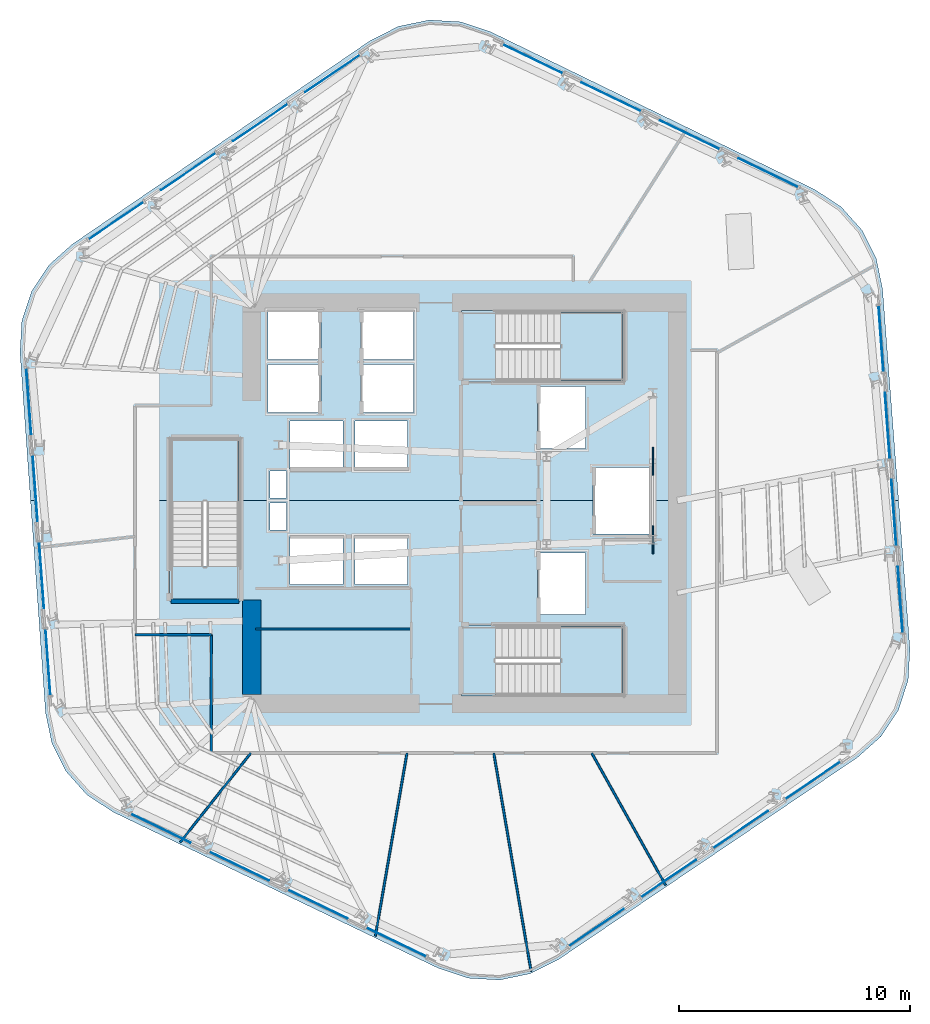
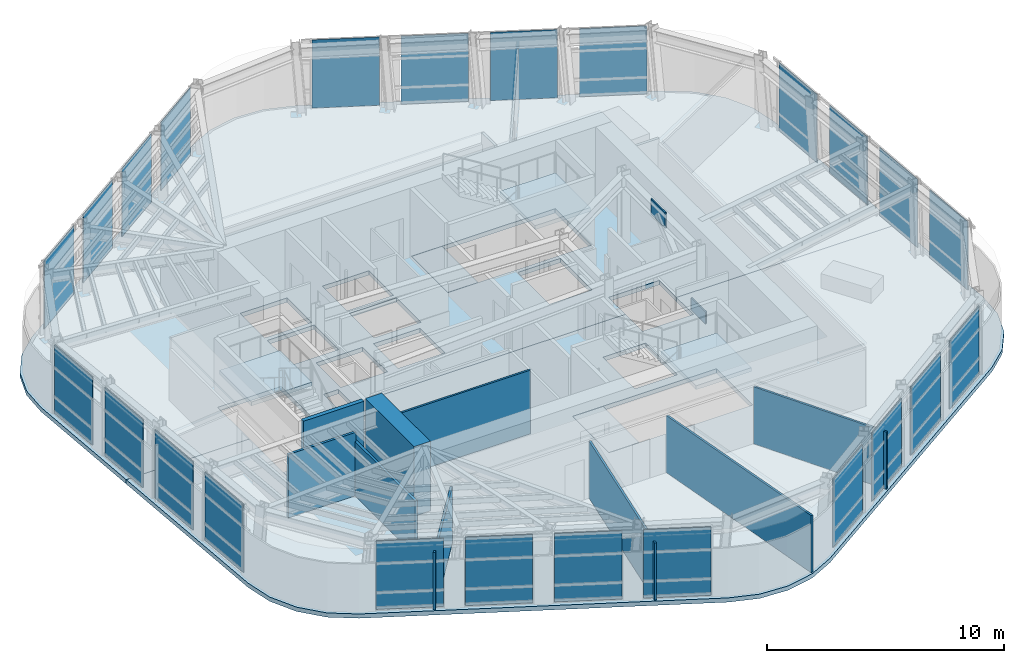
# One storey, part 7 of 15: 26 plates, 9 walls, 8 slabs, 9 elements without a shape of their own.
"""IFC4 building model written with IfcOpenShell, lengths in metres."""

import ifcopenshell
import ifcopenshell.guid

model = None  # the IFC model being written
_history = None  # IfcOwnerHistory: only IFC2X3 demands one
_inside = {}  # id of a spatial element -> (the spatial element, [elements in it])
_under = {}  # id of a project, library or spatial element -> (it, [spatial elements below it])
_declared = {}  # id of a project -> (the project, [libraries it declares])
_typed = {}  # id of a type object -> (the type object, [elements of that type])
_made_of = {}  # id of a material, layer set ... -> (it, [elements and type objects made of it])


def new_model(schema):
    """Start an empty IFC model of exactly this schema.

    Asked for "IFC4X3", IfcOpenShell would pick the latest addendum, in which some entities
    have other attributes; the version numbers below select the first issue.
    IFC2X3 requires an IfcOwnerHistory on every rooted entity: one is made here for all.
    """
    global model, _history
    if schema == "IFC4X3":
        model = ifcopenshell.file(schema_version=(4, 3, 0, 0))
    else:
        model = ifcopenshell.file(schema=schema)
    _inside.clear()
    _under.clear()
    _declared.clear()
    _typed.clear()
    _made_of.clear()
    _history = None
    if model.schema == "IFC2X3":
        org = make("IfcOrganization", Name="unknown")
        user = make(
            "IfcPersonAndOrganization",
            ThePerson=make("IfcPerson", FamilyName="unknown"),
            TheOrganization=org,
        )
        app = make(
            "IfcApplication",
            ApplicationDeveloper=org,
            Version="unknown",
            ApplicationFullName="unknown",
            ApplicationIdentifier="unknown",
        )
        _history = make(
            "IfcOwnerHistory",
            OwningUser=user,
            OwningApplication=app,
            ChangeAction="ADDED",
            CreationDate=0,
        )
    return model


def make(cls, **values):
    """One entity of the class cls with the attributes given. An attribute that is None is left unset."""
    return model.create_entity(
        cls, **{name: value for name, value in values.items() if value is not None}
    )


def rooted(cls, **values):
    """An entity with a GlobalId (a new one), such as an element, a storey or a relation."""
    return make(cls, GlobalId=ifcopenshell.guid.new(), OwnerHistory=_history, **values)


def si_unit(unit_type, name, prefix=None):
    """IfcSIUnit, for example si_unit("LENGTHUNIT", "METRE", prefix="MILLI")."""
    return make("IfcSIUnit", UnitType=unit_type, Prefix=prefix, Name=name)


def assignment(units):
    """IfcUnitAssignment: the units of a project."""
    return None if units is None else make("IfcUnitAssignment", Units=units)


def point(xyz):
    """IfcCartesianPoint."""
    return None if xyz is None else make("IfcCartesianPoint", Coordinates=xyz)


def direction(xyz):
    """IfcDirection."""
    return None if xyz is None else make("IfcDirection", DirectionRatios=xyz)


def frame(location, z_axis=None, x_axis=None):
    """IfcAxis2Placement3D, a coordinate frame: its origin and axes. An axis left out is left unset."""
    return make(
        "IfcAxis2Placement3D",
        Location=point(location),
        Axis=direction(z_axis),
        RefDirection=direction(x_axis),
    )


def frame_2d(location, x_axis=None):
    """IfcAxis2Placement2D, a coordinate frame in the plane: its origin and x axis."""
    return make(
        "IfcAxis2Placement2D", Location=point(location), RefDirection=direction(x_axis)
    )


def origin():
    """The frame at (0, 0, 0) with its axes left unset."""
    return frame((0.0, 0.0, 0.0))


def origin_2d():
    """The frame at (0, 0) in the plane with its x axis left unset."""
    return frame_2d((0.0, 0.0))


def place(relative_to, where):
    """IfcLocalPlacement: puts the frame where relative to a parent placement (None: the world)."""
    return make(
        "IfcLocalPlacement", PlacementRelTo=relative_to, RelativePlacement=where
    )


def context(
    kind, dimensions, precision=None, world=None, true_north=None, identifier=None
):
    """IfcGeometricRepresentationContext, for example the 3D "Model" context."""
    return make(
        "IfcGeometricRepresentationContext",
        ContextIdentifier=identifier,
        ContextType=kind,
        CoordinateSpaceDimension=dimensions,
        Precision=precision,
        WorldCoordinateSystem=world,
        TrueNorth=true_north,
    )


def subcontext(parent, identifier, kind, view, scale=None):
    """IfcGeometricRepresentationSubContext, for example "Body" below "Model"."""
    return make(
        "IfcGeometricRepresentationSubContext",
        ContextIdentifier=identifier,
        ContextType=kind,
        ParentContext=parent,
        TargetScale=scale,
        TargetView=view,
    )


def project(units=None, contexts=None):
    """IfcProject with its units and contexts."""
    return rooted(
        "IfcProject",
        Name="project",
        RepresentationContexts=contexts,
        UnitsInContext=assignment(units),
    )


def spatial(cls, under=None, at=None, **own):
    """A site, building, storey or space (cls), placed at a placement, below another one or the project."""
    s = rooted(cls, ObjectPlacement=at, **own)
    if under is not None:
        _under.setdefault(under.id(), (under, []))[1].append(s)
    return s


def polyline(points):
    """IfcPolyline through the points."""
    return make("IfcPolyline", Points=[point(p) for p in points])


def profile(cls, at=None, kind="AREA", **sizes):
    """A parametric profile (cls). Its sizes go by their IFC names, for example OverallWidth=200.0."""
    return make(cls, ProfileType=kind, Position=at, **sizes)


def rectangle(**sizes):
    """IfcRectangleProfileDef."""
    return profile("IfcRectangleProfileDef", **sizes)


def outline(outer, holes=None, kind="AREA"):
    """IfcArbitraryClosedProfileDef: a profile drawn as a closed curve; with holes, ...WithVoids."""
    if holes is None:
        return make("IfcArbitraryClosedProfileDef", ProfileType=kind, OuterCurve=outer)
    return make(
        "IfcArbitraryProfileDefWithVoids",
        ProfileType=kind,
        OuterCurve=outer,
        InnerCurves=holes,
    )


def extrude(swept, where, along, depth):
    """IfcExtrudedAreaSolid: the profile swept, set in the frame where, extruded along a direction by depth."""
    return make(
        "IfcExtrudedAreaSolid",
        SweptArea=swept,
        Position=where,
        ExtrudedDirection=direction(along),
        Depth=depth,
    )


def shape(context_of_items, identifier, shape_type, items):
    """IfcShapeRepresentation: the items that make up one representation, for example the "Body"."""
    return make(
        "IfcShapeRepresentation",
        ContextOfItems=context_of_items,
        RepresentationIdentifier=identifier,
        RepresentationType=shape_type,
        Items=items,
    )


def material(Name=None, Category=None):
    """IfcMaterial."""
    return make("IfcMaterial", Name=Name, Category=Category)


def layer(
    of_material, thickness, ventilated=None, Name=None, Category=None, Priority=None
):
    """IfcMaterialLayer: one layer of a wall or slab, of a material (None: an air gap)."""
    return make(
        "IfcMaterialLayer",
        Material=of_material,
        LayerThickness=thickness,
        IsVentilated=ventilated,
        Name=Name,
        Category=Category,
        Priority=Priority,
    )


def layer_set(layers, Name=None):
    """IfcMaterialLayerSet."""
    return make("IfcMaterialLayerSet", MaterialLayers=layers, LayerSetName=Name)


def made_of(thing, what):
    """Note that an element or type object is made of a material, layer set ...; save() writes the relation."""
    if what is not None:
        _made_of.setdefault(what.id(), (what, []))[1].append(thing)
    return thing


def type_object(cls, material=None, **own):
    """A type object (cls), such as IfcWallType, which elements share."""
    return made_of(rooted(cls, **own), material)


def element(
    cls,
    number,
    at=None,
    inside=None,
    cuts=None,
    type_object=None,
    material=None,
    context=None,
    identifier="Body",
    shape_type=None,
    held_by="IfcProductDefinitionShape",
    body=None,
    shapes=None,
    **own,
):
    """One element of the class cls, such as IfcWall. Its Tag is "e" and its number.

    at: its placement. inside: the storey or other place that contains it. cuts: it is an
    opening in that element (IfcRelVoidsElement). A single representation is given by context,
    identifier, shape_type and body (its items); several are given by shapes. held_by: the class
    of the entity that holds the representations. save() writes the other relations.
    """
    e = rooted(cls, Tag="e%d" % number, ObjectPlacement=at, **own)
    if body is not None:
        shapes = [shape(context, identifier, shape_type, body)]
    if shapes is not None:
        e.Representation = make(held_by, Representations=shapes)
    if inside is not None:
        _inside.setdefault(inside.id(), (inside, []))[1].append(e)
    if cuts is not None:
        rooted(
            "IfcRelVoidsElement", RelatingBuildingElement=cuts, RelatedOpeningElement=e
        )
    if type_object is not None:
        _typed.setdefault(type_object.id(), (type_object, []))[1].append(e)
    return made_of(e, material)


def aggregate(whole, parts):
    """IfcRelAggregates: a whole, such as a stair, and the parts it consists of."""
    return rooted("IfcRelAggregates", RelatingObject=whole, RelatedObjects=parts)


def save(model, path):
    """Write the relations noted so far, then the file.

    IfcRelAggregates (storeys below a building ...), IfcRelContainedInSpatialStructure (elements
    in a storey), IfcRelDefinesByType, IfcRelAssociatesMaterial and IfcRelDeclares: one each for
    every whole, place, type object, material and project.
    """
    for whole, parts in _under.values():
        aggregate(whole, parts)
    for where, things in _inside.values():
        rooted(
            "IfcRelContainedInSpatialStructure",
            RelatedElements=things,
            RelatingStructure=where,
        )
    for kind, things in _typed.values():
        rooted("IfcRelDefinesByType", RelatedObjects=things, RelatingType=kind)
    for what, things in _made_of.values():
        rooted("IfcRelAssociatesMaterial", RelatedObjects=things, RelatingMaterial=what)
    for by, libraries in _declared.values():
        rooted("IfcRelDeclares", RelatingContext=by, RelatedDefinitions=libraries)
    model.write(path)


model = new_model("IFC4")

# Units and contexts
model_context = context("Model", 3, precision=1e-05, world=origin(), true_north=direction((0.0, 1.0)))
body_context = subcontext(model_context, "Body", "Model", "MODEL_VIEW")
ifc_project = project(units=[si_unit("LENGTHUNIT", "METRE"), si_unit("AREAUNIT", "SQUARE_METRE"), si_unit("VOLUMEUNIT", "CUBIC_METRE"), si_unit("PLANEANGLEUNIT", "RADIAN"), si_unit("MASSUNIT", "GRAM", prefix="KILO")], contexts=[model_context])

# Site, building, storey
site_placement = place(None, origin())
site = spatial("IfcSite", under=ifc_project, at=site_placement, CompositionType="ELEMENT")
building_placement = place(site_placement, origin())
building = spatial("IfcBuilding", under=site, at=building_placement, Name="Valkerne Bourse Tower", CompositionType="ELEMENT")
storey_placement = place(building_placement, frame((0.0, 0.0, 170.39990234375)))
storey = spatial("IfcBuildingStorey", under=building, at=storey_placement, Name="L43", CompositionType="ELEMENT", Elevation=170.39990234375)

# Curtain wall, plates
ifc_material_1 = material(Name="Aluminium AA 6063-T6", Category="aluminium")
ifc_layer_1 = layer(ifc_material_1, 0.235107421875)
ifc_layer_set_1 = layer_set([ifc_layer_1], Name="Aluminium AA 6063-T6")
curtain_wall_type = type_object("IfcCurtainWallType", Name="CW-03", PredefinedType="NOTDEFINED", material=ifc_layer_set_1)
curtain_wall_1_placement = place(storey_placement, origin())
curtain_wall_1 = element("IfcCurtainWall", 1, at=curtain_wall_1_placement, inside=storey, type_object=curtain_wall_type, Name="L43 Hexagonal Stick Curtain Wall Face 1", PredefinedType="NOTDEFINED")
ifc_material_2 = material(Name="Glass IGU Low-E Double Glazed", Category="glass")
ifc_layer_2 = layer(ifc_material_2, 0.031982421875)
ifc_layer_set_2 = layer_set([ifc_layer_2], Name="Glass IGU Low-E Double Glazed")
plate_type_1 = type_object("IfcPlateType", Name="CW-PNL-IGU-32", PredefinedType="CURTAIN_PANEL", material=ifc_layer_set_2)
plate_1_placement = place(storey_placement, frame((59.93701171875, 41.178955078125, 0.030029296875), z_axis=(0.0, 0.0, 1.0), x_axis=(-0.90032453496, 0.43521917668, 0.0)))
plate_1 = element("IfcPlate", 2, at=plate_1_placement, type_object=plate_type_1, Name="CW-L43-F1 Curtain Panel 00", PredefinedType="CURTAIN_PANEL", context=body_context, shape_type="SweptSolid", body=[
    extrude(rectangle(XDim=2.850830078125, YDim=0.031982421875, at=origin_2d()), origin(), (0.0, 0.0, 1.0), 3.52001953125),
])
plate_2_placement = place(storey_placement, frame((56.5419921875, 42.820068359375, 0.030029296875), z_axis=(0.0, 0.0, 1.0), x_axis=(-0.900314143911, 0.435240671667, 0.0)))
plate_2 = element("IfcPlate", 3, at=plate_2_placement, type_object=plate_type_1, Name="CW-L43-F1 Curtain Panel 01", PredefinedType="CURTAIN_PANEL", context=body_context, shape_type="SweptSolid", body=[
    extrude(rectangle(XDim=2.85107421875, YDim=0.031982421875, at=origin_2d()), origin(), (0.0, 0.0, 1.0), 3.52001953125),
])
plate_3_placement = place(storey_placement, frame((53.14697265625, 44.46142578125, 0.030029296875), z_axis=(0.0, 0.0, 1.0), x_axis=(-0.90032453496, 0.43521917668, 0.0)))
plate_3 = element("IfcPlate", 4, at=plate_3_placement, type_object=plate_type_1, Name="CW-L43-F1 Curtain Panel 02", PredefinedType="CURTAIN_PANEL", context=body_context, shape_type="SweptSolid", body=[
    extrude(rectangle(XDim=2.850830078125, YDim=0.031982421875, at=origin_2d()), origin(), (0.0, 0.0, 1.0), 3.52001953125),
])
plate_4_placement = place(storey_placement, frame((49.751708984375, 46.1025390625, 0.030029296875), z_axis=(0.0, 0.0, 1.0), x_axis=(-0.900314143911, 0.435240671667, 0.0)))
plate_4 = element("IfcPlate", 5, at=plate_4_placement, type_object=plate_type_1, Name="CW-L43-F1 Curtain Panel 03", PredefinedType="CURTAIN_PANEL", context=body_context, shape_type="SweptSolid", body=[
    extrude(rectangle(XDim=2.85107421875, YDim=0.031982421875, at=origin_2d()), origin(), (0.0, 0.0, 1.0), 3.52001953125),
])
aggregate(curtain_wall_1, [plate_1, plate_2, plate_3, plate_4])

curtain_wall_2_placement = place(storey_placement, origin())
curtain_wall_2 = element("IfcCurtainWall", 6, at=curtain_wall_2_placement, inside=storey, type_object=curtain_wall_type, Name="L43 Hexagonal Stick Curtain Wall Face 2", PredefinedType="NOTDEFINED")
plate_5_placement = place(storey_placement, frame((41.089111328125, 45.466552734375, 0.030029296875), z_axis=(0.0, 0.0, 1.0), x_axis=(-0.827080851805, -0.562082969478, 0.0)))
plate_5 = element("IfcPlate", 7, at=plate_5_placement, type_object=plate_type_1, Name="CW-L43-F2 Curtain Panel 00", PredefinedType="CURTAIN_PANEL", context=body_context, shape_type="SweptSolid", body=[
    extrude(rectangle(XDim=2.850830078125, YDim=0.031982421875, at=origin_2d()), origin(), (0.0, 0.0, 1.0), 3.52001953125),
])
plate_6_placement = place(storey_placement, frame((37.97021484375, 43.346923828125, 0.030029296875), z_axis=(0.0, 0.0, 1.0), x_axis=(-0.827080851805, -0.562082969478, 0.0)))
plate_6 = element("IfcPlate", 8, at=plate_6_placement, type_object=plate_type_1, Name="CW-L43-F2 Curtain Panel 01", PredefinedType="CURTAIN_PANEL", context=body_context, shape_type="SweptSolid", body=[
    extrude(rectangle(XDim=2.850830078125, YDim=0.031982421875, at=origin_2d()), origin(), (0.0, 0.0, 1.0), 3.52001953125),
])
plate_7_placement = place(storey_placement, frame((34.851318359375, 41.227294921875, 0.030029296875), z_axis=(0.0, 0.0, 1.0), x_axis=(-0.827080851805, -0.562082969478, 0.0)))
plate_7 = element("IfcPlate", 9, at=plate_7_placement, type_object=plate_type_1, Name="CW-L43-F2 Curtain Panel 02", PredefinedType="CURTAIN_PANEL", context=body_context, shape_type="SweptSolid", body=[
    extrude(rectangle(XDim=2.850830078125, YDim=0.031982421875, at=origin_2d()), origin(), (0.0, 0.0, 1.0), 3.52001953125),
])
plate_8_placement = place(storey_placement, frame((31.732421875, 39.107666015625, 0.030029296875), z_axis=(0.0, 0.0, 1.0), x_axis=(-0.827089229672, -0.562070641611, 0.0)))
plate_8 = element("IfcPlate", 10, at=plate_8_placement, type_object=plate_type_1, Name="CW-L43-F2 Curtain Panel 03", PredefinedType="CURTAIN_PANEL", context=body_context, shape_type="SweptSolid", body=[
    extrude(rectangle(XDim=2.85107421875, YDim=0.031982421875, at=origin_2d()), origin(), (0.0, 0.0, 1.0), 3.52001953125),
])
aggregate(curtain_wall_2, [plate_5, plate_6, plate_7, plate_8])

curtain_wall_3_placement = place(storey_placement, origin())
curtain_wall_3 = element("IfcCurtainWall", 11, at=curtain_wall_3_placement, inside=storey, type_object=curtain_wall_type, Name="L43 Hexagonal Stick Curtain Wall Face 3", PredefinedType="NOTDEFINED")
plate_9_placement = place(storey_placement, frame((27.9521484375, 31.28759765625, 0.030029296875), z_axis=(0.0, 0.0, 1.0), x_axis=(0.07324261982, -0.997314152432, 0.0)))
plate_9 = element("IfcPlate", 12, at=plate_9_placement, type_object=plate_type_1, Name="CW-L43-F3 Curtain Panel 00", PredefinedType="CURTAIN_PANEL", context=body_context, shape_type="SweptSolid", body=[
    extrude(rectangle(XDim=2.85107421875, YDim=0.031982421875, at=origin_2d()), origin(), (0.0, 0.0, 1.0), 3.52001953125),
])
plate_10_placement = place(storey_placement, frame((28.228271484375, 27.526611328125, 0.030029296875), z_axis=(0.0, 0.0, 1.0), x_axis=(0.07324261982, -0.997314152432, 0.0)))
plate_10 = element("IfcPlate", 13, at=plate_10_placement, type_object=plate_type_1, Name="CW-L43-F3 Curtain Panel 01", PredefinedType="CURTAIN_PANEL", context=body_context, shape_type="SweptSolid", body=[
    extrude(rectangle(XDim=2.85107421875, YDim=0.031982421875, at=origin_2d()), origin(), (0.0, 0.0, 1.0), 3.52001953125),
])
plate_11_placement = place(storey_placement, frame((28.504638671875, 23.765869140625, 0.030029296875), z_axis=(0.0, 0.0, 1.0), x_axis=(0.07324261982, -0.997314152432, 0.0)))
plate_11 = element("IfcPlate", 14, at=plate_11_placement, type_object=plate_type_1, Name="CW-L43-F3 Curtain Panel 02", PredefinedType="CURTAIN_PANEL", context=body_context, shape_type="SweptSolid", body=[
    extrude(rectangle(XDim=2.85107421875, YDim=0.031982421875, at=origin_2d()), origin(), (0.0, 0.0, 1.0), 3.52001953125),
])
plate_12_placement = place(storey_placement, frame((28.78076171875, 20.0048828125, 0.030029296875), z_axis=(0.0, 0.0, 1.0), x_axis=(0.07324455691, -0.997314010171, 0.0)))
plate_12 = element("IfcPlate", 15, at=plate_12_placement, type_object=plate_type_1, Name="CW-L43-F3 Curtain Panel 03", PredefinedType="CURTAIN_PANEL", context=body_context, shape_type="SweptSolid", body=[
    extrude(rectangle(XDim=2.850830078125, YDim=0.031982421875, at=origin_2d()), origin(), (0.0, 0.0, 1.0), 3.52001953125),
])
aggregate(curtain_wall_3, [plate_9, plate_10, plate_11, plate_12])

curtain_wall_4_placement = place(storey_placement, origin())
curtain_wall_4 = element("IfcCurtainWall", 16, at=curtain_wall_4_placement, inside=storey, type_object=curtain_wall_type, Name="L43 Hexagonal Stick Curtain Wall Face 4", PredefinedType="NOTDEFINED")
plate_13_placement = place(storey_placement, frame((33.662841796875, 12.821044921875, 0.030029296875), z_axis=(0.0, 0.0, 1.0), x_axis=(0.90032453496, -0.43521917668, 0.0)))
plate_13 = element("IfcPlate", 17, at=plate_13_placement, type_object=plate_type_1, Name="CW-L43-F4 Curtain Panel 00", PredefinedType="CURTAIN_PANEL", context=body_context, shape_type="SweptSolid", body=[
    extrude(rectangle(XDim=2.850830078125, YDim=0.031982421875, at=origin_2d()), origin(), (0.0, 0.0, 1.0), 3.52001953125),
])
plate_14_placement = place(storey_placement, frame((37.05810546875, 11.179931640625, 0.030029296875), z_axis=(0.0, 0.0, 1.0), x_axis=(0.900314143911, -0.435240671667, 0.0)))
plate_14 = element("IfcPlate", 18, at=plate_14_placement, type_object=plate_type_1, Name="CW-L43-F4 Curtain Panel 01", PredefinedType="CURTAIN_PANEL", context=body_context, shape_type="SweptSolid", body=[
    extrude(rectangle(XDim=2.85107421875, YDim=0.031982421875, at=origin_2d()), origin(), (0.0, 0.0, 1.0), 3.52001953125),
])
plate_15_placement = place(storey_placement, frame((40.453125, 9.53857421875, 0.030029296875), z_axis=(0.0, 0.0, 1.0), x_axis=(0.90032453496, -0.43521917668, 0.0)))
plate_15 = element("IfcPlate", 19, at=plate_15_placement, type_object=plate_type_1, Name="CW-L43-F4 Curtain Panel 02", PredefinedType="CURTAIN_PANEL", context=body_context, shape_type="SweptSolid", body=[
    extrude(rectangle(XDim=2.850830078125, YDim=0.031982421875, at=origin_2d()), origin(), (0.0, 0.0, 1.0), 3.52001953125),
])
plate_16_placement = place(storey_placement, frame((43.84814453125, 7.897216796875, 0.030029296875), z_axis=(0.0, 0.0, 1.0), x_axis=(0.900314143911, -0.435240671667, 0.0)))
plate_16 = element("IfcPlate", 20, at=plate_16_placement, type_object=plate_type_1, Name="CW-L43-F4 Curtain Panel 03", PredefinedType="CURTAIN_PANEL", context=body_context, shape_type="SweptSolid", body=[
    extrude(rectangle(XDim=2.85107421875, YDim=0.031982421875, at=origin_2d()), origin(), (0.0, 0.0, 1.0), 3.52001953125),
])
aggregate(curtain_wall_4, [plate_13, plate_14, plate_15, plate_16])

curtain_wall_5_placement = place(storey_placement, origin())
curtain_wall_5 = element("IfcCurtainWall", 21, at=curtain_wall_5_placement, inside=storey, type_object=curtain_wall_type, Name="L43 Hexagonal Stick Curtain Wall Face 5", PredefinedType="NOTDEFINED")
plate_17_placement = place(storey_placement, frame((52.5107421875, 8.533447265625, 0.030029296875), z_axis=(0.0, 0.0, 1.0), x_axis=(0.827080851805, 0.562082969478, 0.0)))
plate_17 = element("IfcPlate", 22, at=plate_17_placement, type_object=plate_type_1, Name="CW-L43-F5 Curtain Panel 00", PredefinedType="CURTAIN_PANEL", context=body_context, shape_type="SweptSolid", body=[
    extrude(rectangle(XDim=2.850830078125, YDim=0.031982421875, at=origin_2d()), origin(), (0.0, 0.0, 1.0), 3.52001953125),
])
plate_18_placement = place(storey_placement, frame((55.629638671875, 10.653076171875, 0.030029296875), z_axis=(0.0, 0.0, 1.0), x_axis=(0.827080851805, 0.562082969478, 0.0)))
plate_18 = element("IfcPlate", 23, at=plate_18_placement, type_object=plate_type_1, Name="CW-L43-F5 Curtain Panel 01", PredefinedType="CURTAIN_PANEL", context=body_context, shape_type="SweptSolid", body=[
    extrude(rectangle(XDim=2.850830078125, YDim=0.031982421875, at=origin_2d()), origin(), (0.0, 0.0, 1.0), 3.52001953125),
])
plate_19_placement = place(storey_placement, frame((58.74853515625, 12.772705078125, 0.030029296875), z_axis=(0.0, 0.0, 1.0), x_axis=(0.827080851805, 0.562082969478, 0.0)))
plate_19 = element("IfcPlate", 24, at=plate_19_placement, type_object=plate_type_1, Name="CW-L43-F5 Curtain Panel 02", PredefinedType="CURTAIN_PANEL", context=body_context, shape_type="SweptSolid", body=[
    extrude(rectangle(XDim=2.850830078125, YDim=0.031982421875, at=origin_2d()), origin(), (0.0, 0.0, 1.0), 3.52001953125),
])
plate_20_placement = place(storey_placement, frame((61.867431640625, 14.892333984375, 0.030029296875), z_axis=(0.0, 0.0, 1.0), x_axis=(0.827089229672, 0.562070641611, 0.0)))
plate_20 = element("IfcPlate", 25, at=plate_20_placement, type_object=plate_type_1, Name="CW-L43-F5 Curtain Panel 03", PredefinedType="CURTAIN_PANEL", context=body_context, shape_type="SweptSolid", body=[
    extrude(rectangle(XDim=2.85107421875, YDim=0.031982421875, at=origin_2d()), origin(), (0.0, 0.0, 1.0), 3.52001953125),
])
aggregate(curtain_wall_5, [plate_17, plate_18, plate_19, plate_20])

curtain_wall_6_placement = place(storey_placement, origin())
curtain_wall_6 = element("IfcCurtainWall", 26, at=curtain_wall_6_placement, inside=storey, type_object=curtain_wall_type, Name="L43 Hexagonal Stick Curtain Wall Face 6", PredefinedType="NOTDEFINED")
plate_21_placement = place(storey_placement, frame((65.64794921875, 22.71240234375, 0.030029296875), z_axis=(0.0, 0.0, 1.0), x_axis=(-0.07324261982, 0.997314152432, 0.0)))
plate_21 = element("IfcPlate", 27, at=plate_21_placement, type_object=plate_type_1, Name="CW-L43-F6 Curtain Panel 00", PredefinedType="CURTAIN_PANEL", context=body_context, shape_type="SweptSolid", body=[
    extrude(rectangle(XDim=2.85107421875, YDim=0.031982421875, at=origin_2d()), origin(), (0.0, 0.0, 1.0), 3.52001953125),
])
plate_22_placement = place(storey_placement, frame((65.37158203125, 26.473388671875, 0.030029296875), z_axis=(0.0, 0.0, 1.0), x_axis=(-0.07324261982, 0.997314152432, 0.0)))
plate_22 = element("IfcPlate", 28, at=plate_22_placement, type_object=plate_type_1, Name="CW-L43-F6 Curtain Panel 01", PredefinedType="CURTAIN_PANEL", context=body_context, shape_type="SweptSolid", body=[
    extrude(rectangle(XDim=2.85107421875, YDim=0.031982421875, at=origin_2d()), origin(), (0.0, 0.0, 1.0), 3.52001953125),
])
plate_23_placement = place(storey_placement, frame((65.095458984375, 30.234130859375, 0.030029296875), z_axis=(0.0, 0.0, 1.0), x_axis=(-0.07324261982, 0.997314152432, 0.0)))
plate_23 = element("IfcPlate", 29, at=plate_23_placement, type_object=plate_type_1, Name="CW-L43-F6 Curtain Panel 02", PredefinedType="CURTAIN_PANEL", context=body_context, shape_type="SweptSolid", body=[
    extrude(rectangle(XDim=2.85107421875, YDim=0.031982421875, at=origin_2d()), origin(), (0.0, 0.0, 1.0), 3.52001953125),
])
plate_24_placement = place(storey_placement, frame((64.819091796875, 33.9951171875, 0.030029296875), z_axis=(0.0, 0.0, 1.0), x_axis=(-0.07324455691, 0.997314010171, 0.0)))
plate_24 = element("IfcPlate", 30, at=plate_24_placement, type_object=plate_type_1, Name="CW-L43-F6 Curtain Panel 03", PredefinedType="CURTAIN_PANEL", context=body_context, shape_type="SweptSolid", body=[
    extrude(rectangle(XDim=2.850830078125, YDim=0.031982421875, at=origin_2d()), origin(), (0.0, 0.0, 1.0), 3.52001953125),
])
aggregate(curtain_wall_6, [plate_21, plate_22, plate_23, plate_24])

# Plates
ifc_material_3 = material(Name="Steel ASTM A572 Grade 50", Category="steel")
ifc_layer_3 = layer(ifc_material_3, 0.06005859375)
ifc_layer_set_3 = layer_set([ifc_layer_3], Name="Steel ASTM A572 Grade 50")
plate_type_2 = type_object("IfcPlateType", Name="PLT-GUS-60", PredefinedType="SHEET", material=ifc_layer_set_3)
for number, where, z_axis, x_axis, name in (
    (31, (54.949951171875, 25.300048828125, -0.1796875), (0.0, 0.0, 1.0), (0.0, 1.0, 0.0), "L43 Brace Node Gusset Plate PLT-GUS-END-L43-402"),
    (32, (54.949951171875, 28.699951171875, 2.8740234375), (0.0, 0.0, 1.0), (0.0, 1.0, 0.0), "L43 Brace Node Gusset Plate PLT-GUS-END-L43-403"),
):
    element("IfcPlate", number, at=place(storey_placement, frame(where, z_axis=z_axis, x_axis=x_axis)), inside=storey, type_object=plate_type_2, Name=name, PredefinedType="SHEET", context=body_context, shape_type="SweptSolid", body=[
        extrude(rectangle(XDim=1.199951171875, YDim=0.06005859375, at=origin_2d()), origin(), (0.0, 0.0, 1.0), 0.800048828125),
    ])

# Slabs
ifc_material_4 = material(Name="Concrete C40/50", Category="concrete")
ifc_layer_4 = layer(ifc_material_4, 0.25)
ifc_layer_set_4 = layer_set([ifc_layer_4], Name="Concrete C40/50")
slab_type_1 = type_object("IfcSlabType", Name="SLB-RMP-LND-250", PredefinedType="LANDING", material=ifc_layer_set_4)
slab_1_placement = place(storey_placement, frame((0.0, 0.0, -0.219970703125)))
element("IfcSlab", 33, at=slab_1_placement, inside=storey, type_object=slab_type_1, Name="L43 ST-1 Floor Landing Slab", PredefinedType="LANDING", context=body_context, shape_type="SweptSolid", body=[
    extrude(outline(polyline([(46.669921875, 18.5400390625), (48.14990234375, 18.5400390625), (48.14990234375, 21.610107421875), (46.669921875, 21.610107421875), (46.669921875, 18.5400390625)])), origin(), (0.0, 0.0, 1.0), 0.219970703125),
])
slab_2_placement = place(storey_placement, frame((0.0, 0.0, -0.219970703125)))
element("IfcSlab", 34, at=slab_2_placement, inside=storey, type_object=slab_type_1, Name="L43 ST-2 Floor Landing Slab", PredefinedType="LANDING", context=body_context, shape_type="SweptSolid", body=[
    extrude(outline(polyline([(46.669921875, 32.139892578125), (48.14990234375, 32.139892578125), (48.14990234375, 35.2099609375), (46.669921875, 35.2099609375), (46.669921875, 32.139892578125)])), origin(), (0.0, 0.0, 1.0), 0.219970703125),
])
slab_3_placement = place(storey_placement, frame((0.0, 0.0, -0.219970703125)))
element("IfcSlab", 35, at=slab_3_placement, inside=storey, type_object=slab_type_1, Name="L43 ST-3 Floor Landing Slab", PredefinedType="LANDING", context=body_context, shape_type="SweptSolid", body=[
    extrude(outline(polyline([(37.110107421875, 22.669921875), (37.110107421875, 24.14990234375), (34.0400390625, 24.14990234375), (34.0400390625, 22.669921875), (37.110107421875, 22.669921875)])), origin(), (0.0, 0.0, 1.0), 0.219970703125),
])

# Stair, slab
stair_type = type_object("IfcStairType", Name="ST-CORE-1400", PredefinedType="HALF_TURN_STAIR", material=ifc_material_4)
stair_1_placement = place(storey_placement, origin())
stair_1 = element("IfcStair", 36, at=stair_1_placement, inside=storey, type_object=stair_type, Name="L43 ST-1", PredefinedType="HALF_TURN_STAIR")
ifc_layer_5 = layer(ifc_material_4, 0.179931640625)
ifc_layer_set_5 = layer_set([ifc_layer_5], Name="Concrete C40/50")
slab_type_2 = type_object("IfcSlabType", Name="SLB-ST-LND-180", PredefinedType="LANDING", material=ifc_layer_set_5)
slab_4_placement = place(storey_placement, frame((0.0, 0.0, 1.7001953125)))
slab_4 = element("IfcSlab", 37, at=slab_4_placement, type_object=slab_type_2, Name="ST-1 landing 1", PredefinedType="LANDING", context=body_context, shape_type="SweptSolid", body=[
    extrude(outline(polyline([(50.949951171875, 18.60009765625), (53.64990234375, 18.60009765625), (53.64990234375, 21.550048828125), (50.949951171875, 21.550048828125), (50.949951171875, 18.60009765625)])), origin(), (0.0, 0.0, 1.0), 0.199951171875),
])
aggregate(stair_1, [slab_4])

stair_2_placement = place(storey_placement, origin())
stair_2 = element("IfcStair", 38, at=stair_2_placement, inside=storey, type_object=stair_type, Name="L43 ST-2", PredefinedType="HALF_TURN_STAIR")
slab_5_placement = place(storey_placement, frame((0.0, 0.0, 1.7001953125)))
slab_5 = element("IfcSlab", 39, at=slab_5_placement, type_object=slab_type_2, Name="ST-2 landing 1", PredefinedType="LANDING", context=body_context, shape_type="SweptSolid", body=[
    extrude(outline(polyline([(50.949951171875, 32.199951171875), (53.64990234375, 32.199951171875), (53.64990234375, 35.14990234375), (50.949951171875, 35.14990234375), (50.949951171875, 32.199951171875)])), origin(), (0.0, 0.0, 1.0), 0.199951171875),
])
aggregate(stair_2, [slab_5])

stair_3_placement = place(storey_placement, origin())
stair_3 = element("IfcStair", 40, at=stair_3_placement, inside=storey, type_object=stair_type, Name="L43 ST-3", PredefinedType="HALF_TURN_STAIR")
slab_6_placement = place(storey_placement, frame((0.0, 0.0, 1.7001953125)))
slab_6 = element("IfcSlab", 41, at=slab_6_placement, type_object=slab_type_2, Name="ST-3 landing 1", PredefinedType="LANDING", context=body_context, shape_type="SweptSolid", body=[
    extrude(outline(polyline([(37.050048828125, 26.949951171875), (37.050048828125, 29.64990234375), (34.10009765625, 29.64990234375), (34.10009765625, 26.949951171875), (37.050048828125, 26.949951171875)])), origin(), (0.0, 0.0, 1.0), 0.199951171875),
])
aggregate(stair_3, [slab_6])

# Slabs
ifc_layer_6 = layer(ifc_material_4, 0.219970703125)
ifc_layer_set_6 = layer_set([ifc_layer_6], Name="Concrete C40/50")
slab_type_3 = type_object("IfcSlabType", Name="SLB-TOW-220", PredefinedType="FLOOR", material=ifc_layer_set_6)
slab_7_placement = place(storey_placement, frame((0.0, 0.0, -0.219970703125)))
element("IfcSlab", 42, at=slab_7_placement, inside=storey, type_object=slab_type_3, Name="L43 Hexagonal Composite Floor Slab S", PredefinedType="FLOOR", context=body_context, shape_type="SweptSolid", body=[
    extrude(outline(polyline([(65.990966796875, 19.217529296875), (65.564697265625, 17.9287109375), (64.8193359375, 16.794189453125), (63.805908203125, 15.89111328125), (50.864990234375, 7.1455078125), (49.65234375, 6.53564453125), (48.322998046875, 6.26025390625), (46.9677734375, 6.33837890625), (45.678955078125, 6.7646484375), (31.599365234375, 13.526123046875), (30.46484375, 14.271484375), (29.561767578125, 15.284912109375), (28.951904296875, 16.49755859375), (28.676513671875, 17.826904296875), (28.02685546875, 27.0), (34.034912109375, 27.0), (34.034912109375, 22.6650390625), (37.114990234375, 22.6650390625), (37.114990234375, 27.0), (52.360107421875, 27.0), (52.360107421875, 25.56005859375), (54.840087890625, 25.56005859375), (54.840087890625, 27.0), (65.580322265625, 27.0), (66.069091796875, 20.57275390625), (65.990966796875, 19.217529296875)]), holes=[polyline([(41.5400390625, 25.43994140625), (39.260009765625, 25.43994140625), (39.260009765625, 23.360107421875), (41.5400390625, 23.360107421875), (41.5400390625, 25.43994140625)]), polyline([(44.340087890625, 25.43994140625), (42.06005859375, 25.43994140625), (42.06005859375, 23.360107421875), (44.340087890625, 23.360107421875), (44.340087890625, 25.43994140625)]), polyline([(39.10009765625, 26.89990234375), (38.3798828125, 26.89990234375), (38.3798828125, 25.72998046875), (39.10009765625, 25.72998046875), (39.10009765625, 26.89990234375)]), polyline([(53.675048828125, 21.614990234375), (46.6650390625, 21.614990234375), (46.6650390625, 18.534912109375), (53.675048828125, 18.534912109375), (53.675048828125, 21.614990234375)]), polyline([(52.0400390625, 24.739990234375), (49.9599609375, 24.739990234375), (49.9599609375, 22.06005859375), (52.0400390625, 22.06005859375), (52.0400390625, 24.739990234375)])]), origin(), (0.0, 0.0, 1.0), 0.219970703125),
])
slab_8_placement = place(storey_placement, frame((0.0, 0.0, -0.219970703125)))
element("IfcSlab", 43, at=slab_8_placement, inside=storey, type_object=slab_type_3, Name="L43 Hexagonal Composite Floor Slab N", PredefinedType="FLOOR", context=body_context, shape_type="SweptSolid", body=[
    extrude(outline(polyline([(27.572998046875, 33.40673828125), (27.651123046875, 34.76220703125), (28.077392578125, 36.05078125), (28.82275390625, 37.185546875), (29.836181640625, 38.08837890625), (42.731689453125, 46.901123046875), (43.9443359375, 47.510986328125), (45.273681640625, 47.786376953125), (46.62890625, 47.7080078125), (47.91748046875, 47.281982421875), (61.9619140625, 40.44775390625), (63.0966796875, 39.702392578125), (63.99951171875, 38.688720703125), (64.609619140625, 37.47607421875), (64.884765625, 36.146728515625), (65.580322265625, 27.0), (54.840087890625, 27.0), (54.840087890625, 28.43994140625), (52.360107421875, 28.43994140625), (52.360107421875, 27.0), (37.114990234375, 27.0), (37.114990234375, 29.675048828125), (34.034912109375, 29.675048828125), (34.034912109375, 27.0), (28.02685546875, 27.0), (27.572998046875, 33.40673828125)]), holes=[polyline([(39.10009765625, 28.27001953125), (38.3798828125, 28.27001953125), (38.3798828125, 27.10009765625), (39.10009765625, 27.10009765625), (39.10009765625, 28.27001953125)]), polyline([(41.5400390625, 30.43994140625), (39.260009765625, 30.43994140625), (39.260009765625, 28.360107421875), (41.5400390625, 28.360107421875), (41.5400390625, 30.43994140625)]), polyline([(40.590087890625, 32.889892578125), (38.31005859375, 32.889892578125), (38.31005859375, 30.81005859375), (40.590087890625, 30.81005859375), (40.590087890625, 32.889892578125)]), polyline([(40.590087890625, 35.18994140625), (38.31005859375, 35.18994140625), (38.31005859375, 33.110107421875), (40.590087890625, 33.110107421875), (40.590087890625, 35.18994140625)]), polyline([(44.340087890625, 30.43994140625), (42.06005859375, 30.43994140625), (42.06005859375, 28.360107421875), (44.340087890625, 28.360107421875), (44.340087890625, 30.43994140625)]), polyline([(52.0400390625, 31.93994140625), (49.9599609375, 31.93994140625), (49.9599609375, 29.260009765625), (52.0400390625, 29.260009765625), (52.0400390625, 31.93994140625)]), polyline([(44.590087890625, 32.889892578125), (42.31005859375, 32.889892578125), (42.31005859375, 30.81005859375), (44.590087890625, 30.81005859375), (44.590087890625, 32.889892578125)]), polyline([(53.675048828125, 35.215087890625), (46.6650390625, 35.215087890625), (46.6650390625, 32.135009765625), (53.675048828125, 32.135009765625), (53.675048828125, 35.215087890625)]), polyline([(44.590087890625, 35.18994140625), (42.31005859375, 35.18994140625), (42.31005859375, 33.110107421875), (44.590087890625, 33.110107421875), (44.590087890625, 35.18994140625)])]), origin(), (0.0, 0.0, 1.0), 0.219970703125),
])

# Walls
ifc_material_5 = material(Name="Concrete C55/67", Category="concrete")
ifc_layer_7 = layer(ifc_material_5, 0.800048828125)
ifc_layer_set_7 = layer_set([ifc_layer_7], Name="Concrete C55/67")
wall_type_1 = type_object("IfcWallType", Name="W-CORE-800", PredefinedType="SHEAR", material=ifc_layer_set_7)
wall_1_placement = place(storey_placement, frame((37.60009765625, 18.60009765625, 0.0), z_axis=(0.0, 0.0, 1.0), x_axis=(0.0, 1.0, 0.0)))
element("IfcWall", 44, at=wall_1_placement, inside=storey, type_object=wall_type_1, Name="L43 Core Shear Wall WEST-S", PredefinedType="SHEAR", context=body_context, shape_type="SweptSolid", body=[
    extrude(rectangle(XDim=4.099853515625, YDim=0.800048828125, at=frame_2d((2.0498046875, 0.0))), origin(), (0.0, 0.0, 1.0), 3.580078125),
])
ifc_material_6 = material(Name="Gypsum Board Steel-Stud Partition", Category="steel")
ifc_layer_8 = layer(ifc_material_6, 0.117919921875)
ifc_layer_set_8 = layer_set([ifc_layer_8], Name="Gypsum Board Steel-Stud Partition")
wall_type_2 = type_object("IfcWallType", Name="W-CORR-140", PredefinedType="PARTITIONING", material=ifc_layer_set_8)
wall_2_placement = place(storey_placement, frame((35.85009765625, 16.080078125, 0.0), z_axis=(0.0, 0.0, 1.0), x_axis=(0.0, 1.0, 0.0)))
element("IfcWall", 45, at=wall_2_placement, inside=storey, type_object=wall_type_2, Name="L43 Corridor Enclosure Wall", PredefinedType="PARTITIONING", context=body_context, shape_type="SweptSolid", body=[
    extrude(rectangle(XDim=5.119873046875, YDim=0.117919921875, at=frame_2d((2.56005859375, 0.0))), origin(), (0.0, 0.0, 1.0), 2.800537109375),
])
wall_3_placement = place(storey_placement, frame((35.85009765625, 21.199951171875, 0.0), z_axis=(0.0, 0.0, 1.0), x_axis=(-1.0, 0.0, 0.0)))
element("IfcWall", 46, at=wall_3_placement, inside=storey, type_object=wall_type_2, Name="L43 Corridor Enclosure Wall", PredefinedType="PARTITIONING", context=body_context, shape_type="SweptSolid", body=[
    extrude(rectangle(XDim=3.300048828125, YDim=0.117919921875, at=frame_2d((1.64990234375, 0.0))), origin(), (0.0, 0.0, 1.0), 3.260009765625),
])
ifc_layer_9 = layer(ifc_material_6, 0.092041015625)
ifc_layer_set_9 = layer_set([ifc_layer_9], Name="Gypsum Board Steel-Stud Partition")
wall_type_3 = type_object("IfcWallType", Name="W-PART-115", PredefinedType="PARTITIONING", material=ifc_layer_set_9)
wall_4_placement = place(storey_placement, frame((37.75, 21.43994140625, 0.0), z_axis=(0.0, 0.0, 1.0), x_axis=(1.0, 0.0, 0.0)))
element("IfcWall", 47, at=wall_4_placement, inside=storey, type_object=wall_type_3, Name="L43 LV7 Low-Bank Sub-Divider", PredefinedType="PARTITIONING", context=body_context, shape_type="SweptSolid", body=[
    extrude(rectangle(XDim=6.75, YDim=0.092041015625, at=frame_2d((3.375, 0.0))), origin(), (0.0, 0.0, 1.0), 3.280029296875),
])
wall_5_placement = place(storey_placement, frame((44.31298828125, 16.074951171875, 0.0), z_axis=(0.0, 0.0, 1.0), x_axis=(-0.170203946755, -0.985408857535, 0.0)))
element("IfcWall", 48, at=wall_5_placement, inside=storey, type_object=wall_type_3, Name="L43 Suite Partition P01", PredefinedType="PARTITIONING", context=body_context, shape_type="SweptSolid", body=[
    extrude(rectangle(XDim=8.036865234375, YDim=0.092041015625, at=frame_2d((4.0185546875, 0.0))), origin(), (0.0, 0.0, 1.0), 2.942626953125),
])
wall_6_placement = place(storey_placement, frame((48.0673828125, 16.074951171875, 0.0), z_axis=(0.0, 0.0, 1.0), x_axis=(0.168499930621, -0.985701665506, 0.0)))
element("IfcWall", 49, at=wall_6_placement, inside=storey, type_object=wall_type_3, Name="L43 Suite Partition P02", PredefinedType="PARTITIONING", context=body_context, shape_type="SweptSolid", body=[
    extrude(rectangle(XDim=9.5830078125, YDim=0.092041015625, at=frame_2d((4.79150390625, 0.0))), origin(), (0.0, 0.0, 1.0), 2.942626953125),
])
wall_7_placement = place(storey_placement, frame((52.305908203125, 16.074951171875, 0.0), z_axis=(0.0, 0.0, 1.0), x_axis=(0.487833062078, -0.872936941333, 0.0)))
element("IfcWall", 50, at=wall_7_placement, inside=storey, type_object=wall_type_3, Name="L43 Suite Partition P03", PredefinedType="PARTITIONING", context=body_context, shape_type="SweptSolid", body=[
    extrude(rectangle(XDim=6.544921875, YDim=0.092041015625, at=frame_2d((3.2724609375, 0.0))), origin(), (0.0, 0.0, 1.0), 2.942626953125),
])
wall_8_placement = place(storey_placement, frame((37.555419921875, 16.074951171875, 0.0), z_axis=(0.0, 0.0, 1.0), x_axis=(-0.620540459227, -0.784174431146, 0.0)))
element("IfcWall", 51, at=wall_8_placement, inside=storey, type_object=wall_type_3, Name="L43 Suite Partition P07", PredefinedType="PARTITIONING", context=body_context, shape_type="SweptSolid", body=[
    extrude(rectangle(XDim=4.926513671875, YDim=0.092041015625, at=frame_2d((2.46337890625, 0.0))), origin(), (0.0, 0.0, 1.0), 2.942626953125),
])
ifc_layer_10 = layer(ifc_material_4, 0.199951171875)
ifc_layer_set_10 = layer_set([ifc_layer_10], Name="Concrete C40/50")
wall_type_4 = type_object("IfcWallType", Name="W-SHF-200", PredefinedType="SHEAR", material=ifc_layer_set_10)
wall_9_placement = place(storey_placement, frame((34.10009765625, 22.64990234375, 0.0), z_axis=(0.0, 0.0, 1.0), x_axis=(1.0, 0.0, 0.0)))
element("IfcWall", 52, at=wall_9_placement, inside=storey, type_object=wall_type_4, Name="L43 Exit Stair ST-3 Structural Shaft Wall South", PredefinedType="SHEAR", context=body_context, shape_type="SweptSolid", body=[
    extrude(rectangle(XDim=2.949951171875, YDim=0.199951171875, at=frame_2d((1.47509765625, 0.0))), origin(), (0.0, 0.0, 1.0), 3.580078125),
])

save(model, "model.ifc")
